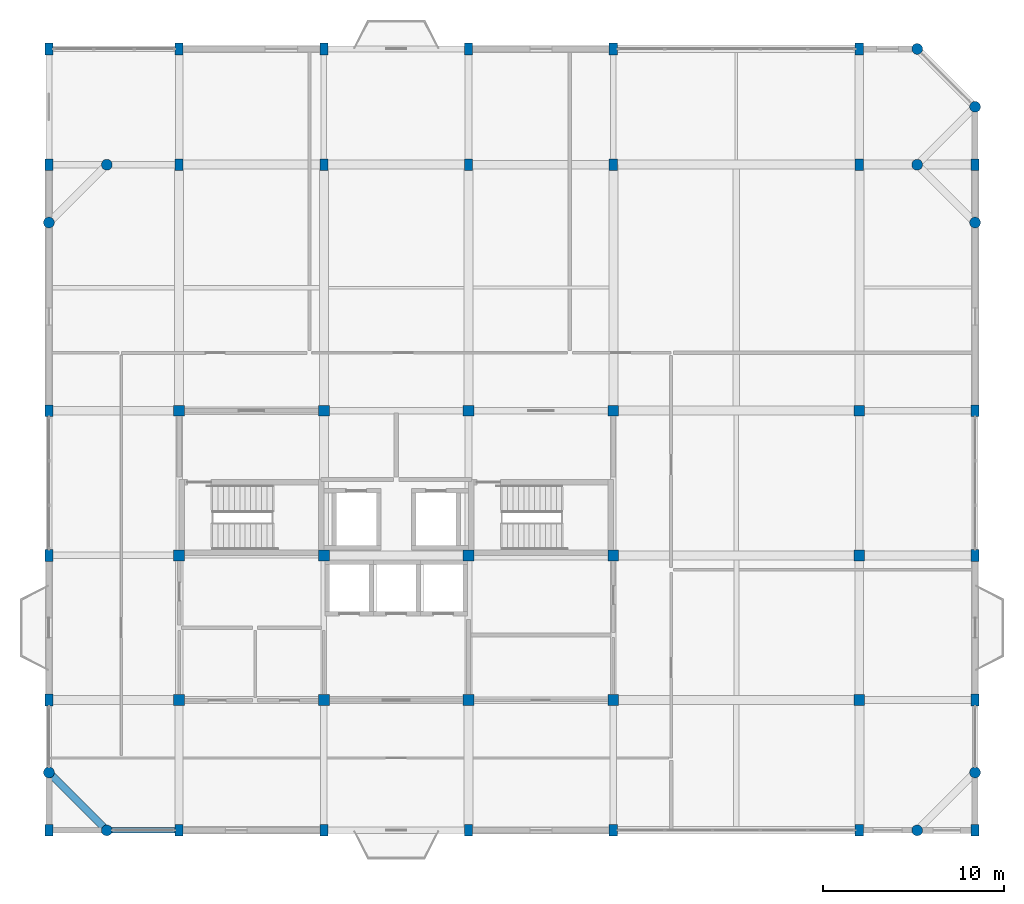
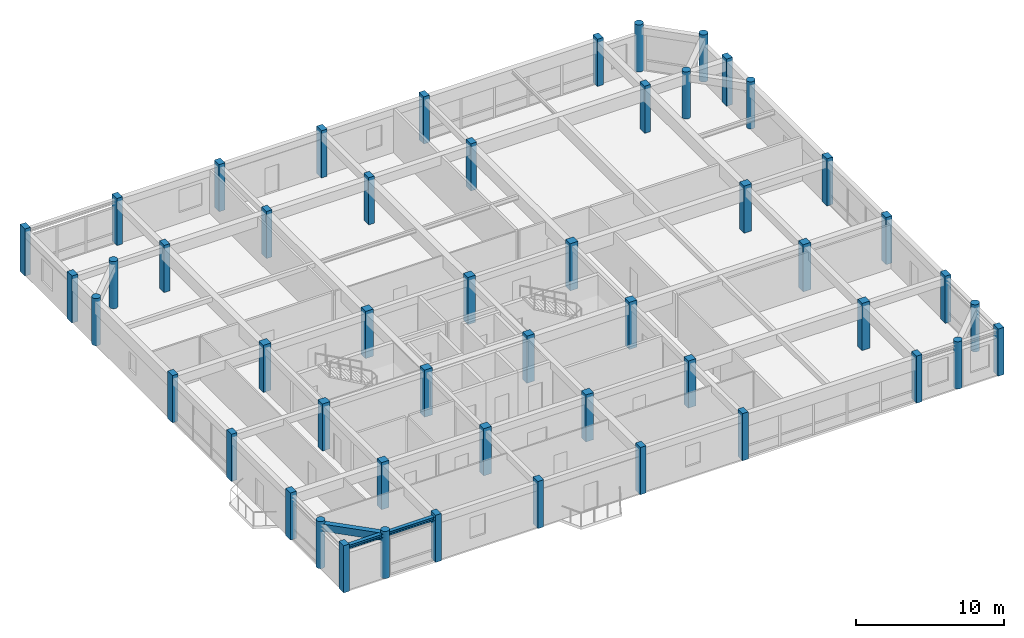
# One storey, part 1 of 13: 51 columns, 2 beams.
"""IFC4 building model written with IfcOpenShell, lengths in metres."""

import ifcopenshell
import ifcopenshell.guid

model = None  # the IFC model being written
_history = None  # IfcOwnerHistory: only IFC2X3 demands one
_inside = {}  # id of a spatial element -> (the spatial element, [elements in it])
_under = {}  # id of a project, library or spatial element -> (it, [spatial elements below it])
_declared = {}  # id of a project -> (the project, [libraries it declares])
_typed = {}  # id of a type object -> (the type object, [elements of that type])
_made_of = {}  # id of a material, layer set ... -> (it, [elements and type objects made of it])


def new_model(schema):
    """Start an empty IFC model of exactly this schema.

    Asked for "IFC4X3", IfcOpenShell would pick the latest addendum, in which some entities
    have other attributes; the version numbers below select the first issue.
    IFC2X3 requires an IfcOwnerHistory on every rooted entity: one is made here for all.
    """
    global model, _history
    if schema == "IFC4X3":
        model = ifcopenshell.file(schema_version=(4, 3, 0, 0))
    else:
        model = ifcopenshell.file(schema=schema)
    _inside.clear()
    _under.clear()
    _declared.clear()
    _typed.clear()
    _made_of.clear()
    _history = None
    if model.schema == "IFC2X3":
        org = make("IfcOrganization", Name="unknown")
        user = make(
            "IfcPersonAndOrganization",
            ThePerson=make("IfcPerson", FamilyName="unknown"),
            TheOrganization=org,
        )
        app = make(
            "IfcApplication",
            ApplicationDeveloper=org,
            Version="unknown",
            ApplicationFullName="unknown",
            ApplicationIdentifier="unknown",
        )
        _history = make(
            "IfcOwnerHistory",
            OwningUser=user,
            OwningApplication=app,
            ChangeAction="ADDED",
            CreationDate=0,
        )
    return model


def make(cls, **values):
    """One entity of the class cls with the attributes given. An attribute that is None is left unset."""
    return model.create_entity(
        cls, **{name: value for name, value in values.items() if value is not None}
    )


def rooted(cls, **values):
    """An entity with a GlobalId (a new one), such as an element, a storey or a relation."""
    return make(cls, GlobalId=ifcopenshell.guid.new(), OwnerHistory=_history, **values)


def si_unit(unit_type, name, prefix=None):
    """IfcSIUnit, for example si_unit("LENGTHUNIT", "METRE", prefix="MILLI")."""
    return make("IfcSIUnit", UnitType=unit_type, Prefix=prefix, Name=name)


def assignment(units):
    """IfcUnitAssignment: the units of a project."""
    return None if units is None else make("IfcUnitAssignment", Units=units)


def point(xyz):
    """IfcCartesianPoint."""
    return None if xyz is None else make("IfcCartesianPoint", Coordinates=xyz)


def direction(xyz):
    """IfcDirection."""
    return None if xyz is None else make("IfcDirection", DirectionRatios=xyz)


def frame(location, z_axis=None, x_axis=None):
    """IfcAxis2Placement3D, a coordinate frame: its origin and axes. An axis left out is left unset."""
    return make(
        "IfcAxis2Placement3D",
        Location=point(location),
        Axis=direction(z_axis),
        RefDirection=direction(x_axis),
    )


def frame_2d(location, x_axis=None):
    """IfcAxis2Placement2D, a coordinate frame in the plane: its origin and x axis."""
    return make(
        "IfcAxis2Placement2D", Location=point(location), RefDirection=direction(x_axis)
    )


def origin():
    """The frame at (0, 0, 0) with its axes left unset."""
    return frame((0.0, 0.0, 0.0))


def origin_2d():
    """The frame at (0, 0) in the plane with its x axis left unset."""
    return frame_2d((0.0, 0.0))


def place(relative_to, where):
    """IfcLocalPlacement: puts the frame where relative to a parent placement (None: the world)."""
    return make(
        "IfcLocalPlacement", PlacementRelTo=relative_to, RelativePlacement=where
    )


def context(
    kind, dimensions, precision=None, world=None, true_north=None, identifier=None
):
    """IfcGeometricRepresentationContext, for example the 3D "Model" context."""
    return make(
        "IfcGeometricRepresentationContext",
        ContextIdentifier=identifier,
        ContextType=kind,
        CoordinateSpaceDimension=dimensions,
        Precision=precision,
        WorldCoordinateSystem=world,
        TrueNorth=true_north,
    )


def subcontext(parent, identifier, kind, view, scale=None):
    """IfcGeometricRepresentationSubContext, for example "Body" below "Model"."""
    return make(
        "IfcGeometricRepresentationSubContext",
        ContextIdentifier=identifier,
        ContextType=kind,
        ParentContext=parent,
        TargetScale=scale,
        TargetView=view,
    )


def project(units=None, contexts=None):
    """IfcProject with its units and contexts."""
    return rooted(
        "IfcProject",
        Name="project",
        RepresentationContexts=contexts,
        UnitsInContext=assignment(units),
    )


def spatial(cls, under=None, at=None, **own):
    """A site, building, storey or space (cls), placed at a placement, below another one or the project."""
    s = rooted(cls, ObjectPlacement=at, **own)
    if under is not None:
        _under.setdefault(under.id(), (under, []))[1].append(s)
    return s


def profile(cls, at=None, kind="AREA", **sizes):
    """A parametric profile (cls). Its sizes go by their IFC names, for example OverallWidth=200.0."""
    return make(cls, ProfileType=kind, Position=at, **sizes)


def rectangle(**sizes):
    """IfcRectangleProfileDef."""
    return profile("IfcRectangleProfileDef", **sizes)


def circle(**sizes):
    """IfcCircleProfileDef."""
    return profile("IfcCircleProfileDef", **sizes)


def i_section(**sizes):
    """IfcIShapeProfileDef."""
    return profile("IfcIShapeProfileDef", **sizes)


def extrude(swept, where, along, depth):
    """IfcExtrudedAreaSolid: the profile swept, set in the frame where, extruded along a direction by depth."""
    return make(
        "IfcExtrudedAreaSolid",
        SweptArea=swept,
        Position=where,
        ExtrudedDirection=direction(along),
        Depth=depth,
    )


def shape(context_of_items, identifier, shape_type, items):
    """IfcShapeRepresentation: the items that make up one representation, for example the "Body"."""
    return make(
        "IfcShapeRepresentation",
        ContextOfItems=context_of_items,
        RepresentationIdentifier=identifier,
        RepresentationType=shape_type,
        Items=items,
    )


def material(Name=None, Category=None):
    """IfcMaterial."""
    return make("IfcMaterial", Name=Name, Category=Category)


def material_profile(
    of_material, cross_section, Name=None, Category=None, Priority=None
):
    """IfcMaterialProfile: a cross section and its material."""
    return make(
        "IfcMaterialProfile",
        Name=Name,
        Material=of_material,
        Profile=cross_section,
        Priority=Priority,
        Category=Category,
    )


def profile_set(profiles, Name=None, composite=None):
    """IfcMaterialProfileSet."""
    return make(
        "IfcMaterialProfileSet",
        Name=Name,
        MaterialProfiles=profiles,
        CompositeProfile=composite,
    )


def made_of(thing, what):
    """Note that an element or type object is made of a material, layer set ...; save() writes the relation."""
    if what is not None:
        _made_of.setdefault(what.id(), (what, []))[1].append(thing)
    return thing


def type_object(cls, material=None, **own):
    """A type object (cls), such as IfcWallType, which elements share."""
    return made_of(rooted(cls, **own), material)


def element(
    cls,
    number,
    at=None,
    inside=None,
    cuts=None,
    type_object=None,
    material=None,
    context=None,
    identifier="Body",
    shape_type=None,
    held_by="IfcProductDefinitionShape",
    body=None,
    shapes=None,
    **own,
):
    """One element of the class cls, such as IfcWall. Its Tag is "e" and its number.

    at: its placement. inside: the storey or other place that contains it. cuts: it is an
    opening in that element (IfcRelVoidsElement). A single representation is given by context,
    identifier, shape_type and body (its items); several are given by shapes. held_by: the class
    of the entity that holds the representations. save() writes the other relations.
    """
    e = rooted(cls, Tag="e%d" % number, ObjectPlacement=at, **own)
    if body is not None:
        shapes = [shape(context, identifier, shape_type, body)]
    if shapes is not None:
        e.Representation = make(held_by, Representations=shapes)
    if inside is not None:
        _inside.setdefault(inside.id(), (inside, []))[1].append(e)
    if cuts is not None:
        rooted(
            "IfcRelVoidsElement", RelatingBuildingElement=cuts, RelatedOpeningElement=e
        )
    if type_object is not None:
        _typed.setdefault(type_object.id(), (type_object, []))[1].append(e)
    return made_of(e, material)


def aggregate(whole, parts):
    """IfcRelAggregates: a whole, such as a stair, and the parts it consists of."""
    return rooted("IfcRelAggregates", RelatingObject=whole, RelatedObjects=parts)


def save(model, path):
    """Write the relations noted so far, then the file.

    IfcRelAggregates (storeys below a building ...), IfcRelContainedInSpatialStructure (elements
    in a storey), IfcRelDefinesByType, IfcRelAssociatesMaterial and IfcRelDeclares: one each for
    every whole, place, type object, material and project.
    """
    for whole, parts in _under.values():
        aggregate(whole, parts)
    for where, things in _inside.values():
        rooted(
            "IfcRelContainedInSpatialStructure",
            RelatedElements=things,
            RelatingStructure=where,
        )
    for kind, things in _typed.values():
        rooted("IfcRelDefinesByType", RelatedObjects=things, RelatingType=kind)
    for what, things in _made_of.values():
        rooted("IfcRelAssociatesMaterial", RelatedObjects=things, RelatingMaterial=what)
    for by, libraries in _declared.values():
        rooted("IfcRelDeclares", RelatingContext=by, RelatedDefinitions=libraries)
    model.write(path)


model = new_model("IFC4")

# Units and contexts
model_context = context("Model", 3, precision=1e-05, world=origin(), true_north=direction((0.0, 1.0)))
body_context = subcontext(model_context, "Body", "Model", "MODEL_VIEW")
ifc_project = project(units=[si_unit("LENGTHUNIT", "METRE"), si_unit("AREAUNIT", "SQUARE_METRE"), si_unit("VOLUMEUNIT", "CUBIC_METRE"), si_unit("PLANEANGLEUNIT", "RADIAN"), si_unit("MASSUNIT", "GRAM", prefix="KILO")], contexts=[model_context])

# Site, building, storey
site_placement = place(None, origin())
site = spatial("IfcSite", under=ifc_project, at=site_placement, CompositionType="ELEMENT")
building_placement = place(site_placement, origin())
building = spatial("IfcBuilding", under=site, at=building_placement, Name="Vellmiral Cinema and Media Centre", CompositionType="ELEMENT")
storey_placement = place(building_placement, frame((0.0, 0.0, 54.800048828125)))
storey = spatial("IfcBuildingStorey", under=building, at=storey_placement, Name="L13", CompositionType="ELEMENT", Elevation=54.800048828125)

# Columns
ifc_material_1 = material(Name="Concrete C40/50", Category="concrete")
ifc_material_profile_1 = material_profile(ifc_material_1, rectangle(XDim=0.449951171875, YDim=0.64990234375, at=origin_2d()), Name="RC 450x650")
ifc_profile_set_1 = profile_set([ifc_material_profile_1], Name="Concrete C40/50")
column_type_1 = type_object("IfcColumnType", Name="COL-RC-450x650", PredefinedType="COLUMN", material=ifc_profile_set_1)
for number, where, z_axis, x_axis, name in (
    (1, (116.800048828125, 72.0, 0.0), (0.0, 0.0, 1.0), (1.0, 0.0, 0.0), "Column L13-001"),
    (2, (116.800048828125, 79.199951171875, 0.0), (0.0, 0.0, 1.0), (1.0, 0.0, 0.0), "Column L13-003"),
    (3, (116.800048828125, 87.199951171875, 0.0), (0.0, 0.0, 1.0), (1.0, 0.0, 0.0), "Column L13-004"),
    (4, (116.800048828125, 95.199951171875, 0.0), (0.0, 0.0, 1.0), (1.0, 0.0, 0.0), "Column L13-005"),
    (5, (116.800048828125, 108.800048828125, 0.0), (0.0, 0.0, 1.0), (1.0, 0.0, 0.0), "Column L13-007"),
    (6, (116.800048828125, 115.199951171875, 0.0), (0.0, 0.0, 1.0), (1.0, 0.0, 0.0), "Column L13-008"),
    (7, (124.0, 72.0, 0.0), (0.0, 0.0, 1.0), (1.0, 0.0, 0.0), "Column L13-011"),
    (8, (124.0, 108.800048828125, 0.0), (0.0, 0.0, 1.0), (1.0, 0.0, 0.0), "Column L13-015"),
    (9, (124.0, 115.199951171875, 0.0), (0.0, 0.0, 1.0), (1.0, 0.0, 0.0), "Column L13-016"),
    (10, (132.0, 72.0, 0.0), (0.0, 0.0, 1.0), (1.0, 0.0, 0.0), "Column L13-017"),
    (11, (132.0, 108.800048828125, 0.0), (0.0, 0.0, 1.0), (1.0, 0.0, 0.0), "Column L13-021"),
    (12, (132.0, 115.199951171875, 0.0), (0.0, 0.0, 1.0), (1.0, 0.0, 0.0), "Column L13-022"),
    (13, (140.0, 72.0, 0.0), (0.0, 0.0, 1.0), (1.0, 0.0, 0.0), "Column L13-023"),
    (14, (140.0, 108.800048828125, 0.0), (0.0, 0.0, 1.0), (1.0, 0.0, 0.0), "Column L13-027"),
    (15, (140.0, 115.199951171875, 0.0), (0.0, 0.0, 1.0), (1.0, 0.0, 0.0), "Column L13-028"),
    (16, (148.0, 72.0, 0.0), (0.0, 0.0, 1.0), (1.0, 0.0, 0.0), "Column L13-029"),
    (17, (148.0, 108.800048828125, 0.0), (0.0, 0.0, 1.0), (1.0, 0.0, 0.0), "Column L13-033"),
    (18, (148.0, 115.199951171875, 0.0), (0.0, 0.0, 1.0), (1.0, 0.0, 0.0), "Column L13-034"),
    (19, (161.60009765625, 72.0, 0.0), (0.0, 0.0, 1.0), (1.0, 0.0, 0.0), "Column L13-035"),
    (20, (161.60009765625, 108.800048828125, 0.0), (0.0, 0.0, 1.0), (1.0, 0.0, 0.0), "Column L13-039"),
    (21, (161.60009765625, 115.199951171875, 0.0), (0.0, 0.0, 1.0), (1.0, 0.0, 0.0), "Column L13-040"),
    (22, (168.0, 72.0, 0.0), (0.0, 0.0, 1.0), (1.0, 0.0, 0.0), "Column L13-044"),
    (23, (168.0, 79.199951171875, 0.0), (0.0, 0.0, 1.0), (1.0, 0.0, 0.0), "Column L13-046"),
    (24, (168.0, 87.199951171875, 0.0), (0.0, 0.0, 1.0), (1.0, 0.0, 0.0), "Column L13-047"),
    (25, (168.0, 95.199951171875, 0.0), (0.0, 0.0, 1.0), (1.0, 0.0, 0.0), "Column L13-048"),
    (26, (168.0, 108.800048828125, 0.0), (0.0, 0.0, 1.0), (1.0, 0.0, 0.0), "Column L13-050"),
):
    element("IfcColumn", number, at=place(storey_placement, frame(where, z_axis=z_axis, x_axis=x_axis)), inside=storey, type_object=column_type_1, Name=name, PredefinedType="COLUMN", context=body_context, shape_type="SweptSolid", body=[
        extrude(rectangle(XDim=0.449951171875, YDim=0.64990234375, at=origin_2d()), origin(), (0.0, 0.0, 1.0), 3.89990234375),
    ])
ifc_material_2 = material(Name="Concrete C40/50", Category="concrete")
ifc_material_profile_2 = material_profile(ifc_material_2, rectangle(XDim=0.60009765625, YDim=0.60009765625, at=origin_2d()), Name="RC 600x600")
ifc_profile_set_2 = profile_set([ifc_material_profile_2], Name="Concrete C40/50")
column_type_2 = type_object("IfcColumnType", Name="COL-RC-600x600", PredefinedType="COLUMN", material=ifc_profile_set_2)
for number, where, z_axis, x_axis, name in (
    (27, (124.0, 79.199951171875, 0.0), (0.0, 0.0, 1.0), (1.0, 0.0, 0.0), "Column L13-012"),
    (28, (124.0, 87.199951171875, 0.0), (0.0, 0.0, 1.0), (1.0, 0.0, 0.0), "Column L13-013"),
    (29, (124.0, 95.199951171875, 0.0), (0.0, 0.0, 1.0), (1.0, 0.0, 0.0), "Column L13-014"),
    (30, (132.0, 79.199951171875, 0.0), (0.0, 0.0, 1.0), (1.0, 0.0, 0.0), "Column L13-018"),
    (31, (132.0, 87.199951171875, 0.0), (0.0, 0.0, 1.0), (1.0, 0.0, 0.0), "Column L13-019"),
    (32, (132.0, 95.199951171875, 0.0), (0.0, 0.0, 1.0), (1.0, 0.0, 0.0), "Column L13-020"),
    (33, (140.0, 79.199951171875, 0.0), (0.0, 0.0, 1.0), (1.0, 0.0, 0.0), "Column L13-024"),
    (34, (140.0, 87.199951171875, 0.0), (0.0, 0.0, 1.0), (1.0, 0.0, 0.0), "Column L13-025"),
    (35, (140.0, 95.199951171875, 0.0), (0.0, 0.0, 1.0), (1.0, 0.0, 0.0), "Column L13-026"),
    (36, (148.0, 79.199951171875, 0.0), (0.0, 0.0, 1.0), (1.0, 0.0, 0.0), "Column L13-030"),
    (37, (148.0, 87.199951171875, 0.0), (0.0, 0.0, 1.0), (1.0, 0.0, 0.0), "Column L13-031"),
    (38, (148.0, 95.199951171875, 0.0), (0.0, 0.0, 1.0), (1.0, 0.0, 0.0), "Column L13-032"),
    (39, (161.60009765625, 79.199951171875, 0.0), (0.0, 0.0, 1.0), (1.0, 0.0, 0.0), "Column L13-036"),
    (40, (161.60009765625, 87.199951171875, 0.0), (0.0, 0.0, 1.0), (1.0, 0.0, 0.0), "Column L13-037"),
    (41, (161.60009765625, 95.199951171875, 0.0), (0.0, 0.0, 1.0), (1.0, 0.0, 0.0), "Column L13-038"),
):
    element("IfcColumn", number, at=place(storey_placement, frame(where, z_axis=z_axis, x_axis=x_axis)), inside=storey, type_object=column_type_2, Name=name, PredefinedType="COLUMN", context=body_context, shape_type="SweptSolid", body=[
        extrude(rectangle(XDim=0.60009765625, YDim=0.60009765625, at=origin_2d()), origin(), (0.0, 0.0, 1.0), 3.89990234375),
    ])
ifc_material_3 = material(Name="Concrete C40/50", Category="concrete")
ifc_material_profile_3 = material_profile(ifc_material_3, circle(Radius=0.300048828125, at=origin_2d()), Name="RC D600")
ifc_profile_set_3 = profile_set([ifc_material_profile_3], Name="Concrete C40/50")
column_type_3 = type_object("IfcColumnType", Name="COL-RCC-D600", PredefinedType="COLUMN", material=ifc_profile_set_3)
for number, where, z_axis, x_axis, name in (
    (42, (116.800048828125, 75.199951171875, 0.0), (0.0, 0.0, 1.0), (1.0, 0.0, 0.0), "Column L13-002"),
    (43, (116.800048828125, 105.60009765625, 0.0), (0.0, 0.0, 1.0), (1.0, 0.0, 0.0), "Column L13-006"),
    (44, (120.0, 72.0, 0.0), (0.0, 0.0, 1.0), (1.0, 0.0, 0.0), "Column L13-009"),
    (45, (120.0, 108.800048828125, 0.0), (0.0, 0.0, 1.0), (1.0, 0.0, 0.0), "Column L13-010"),
    (46, (164.800048828125, 72.0, 0.0), (0.0, 0.0, 1.0), (1.0, 0.0, 0.0), "Column L13-041"),
    (47, (164.800048828125, 108.800048828125, 0.0), (0.0, 0.0, 1.0), (1.0, 0.0, 0.0), "Column L13-042"),
    (48, (164.800048828125, 115.199951171875, 0.0), (0.0, 0.0, 1.0), (1.0, 0.0, 0.0), "Column L13-043"),
    (49, (168.0, 75.199951171875, 0.0), (0.0, 0.0, 1.0), (1.0, 0.0, 0.0), "Column L13-045"),
    (50, (168.0, 105.60009765625, 0.0), (0.0, 0.0, 1.0), (1.0, 0.0, 0.0), "Column L13-049"),
    (51, (168.0, 112.0, 0.0), (0.0, 0.0, 1.0), (1.0, 0.0, 0.0), "Column L13-051"),
):
    element("IfcColumn", number, at=place(storey_placement, frame(where, z_axis=z_axis, x_axis=x_axis)), inside=storey, type_object=column_type_3, Name=name, PredefinedType="COLUMN", context=body_context, shape_type="SweptSolid", body=[
        extrude(circle(Radius=0.300048828125, at=origin_2d()), origin(), (0.0, 0.0, 1.0), 3.89990234375),
    ])

# Beams
ifc_material_4 = material(Name="Steel S355", Category="steel")
ifc_material_profile_4 = material_profile(ifc_material_4, i_section(OverallWidth=0.300048828125, OverallDepth=0.300048828125, WebThickness=0.010986328125, FlangeThickness=0.01904296875, FilletRadius=0.027099609375, at=origin_2d()), Name="HEB 300")
ifc_profile_set_4 = profile_set([ifc_material_profile_4], Name="Steel S355")
beam_type_1 = type_object("IfcBeamType", Name="SBM-HEB300", PredefinedType="SPANDREL", material=ifc_profile_set_4)
beam_1_placement = place(storey_placement, frame((116.800048828125, 72.0, 3.5048828125), z_axis=(1.0, 0.0, 0.0), x_axis=(0.0, 1.0, 0.0)))
element("IfcBeam", 52, at=beam_1_placement, inside=storey, type_object=beam_type_1, Name="Grid Beam L13-X001", PredefinedType="SPANDREL", context=body_context, shape_type="SweptSolid", body=[
    extrude(i_section(OverallWidth=0.300048828125, OverallDepth=0.300048828125, WebThickness=0.010986328125, FlangeThickness=0.01904296875, FilletRadius=0.027099609375, at=origin_2d()), origin(), (0.0, 0.0, 1.0), 7.199951171875),
])
ifc_material_5 = material(Name="Concrete C40/50", Category="concrete")
ifc_material_profile_5 = material_profile(ifc_material_5, rectangle(XDim=0.39990234375, YDim=0.60009765625, at=origin_2d()), Name="RC 400x600")
ifc_profile_set_5 = profile_set([ifc_material_profile_5], Name="Concrete C40/50")
beam_type_2 = type_object("IfcBeamType", Name="SPD-RC-400x600", PredefinedType="SPANDREL", material=ifc_profile_set_5)
beam_2_placement = place(storey_placement, frame((116.800048828125, 75.199951171875, 3.35498046875), z_axis=(0.707106781187, -0.707106781187, 0.0), x_axis=(0.707106781187, 0.707106781187, 0.0)))
element("IfcBeam", 53, at=beam_2_placement, inside=storey, type_object=beam_type_2, Name="Xamfra Chamfer Spandrel Beam L13-070", PredefinedType="SPANDREL", context=body_context, shape_type="SweptSolid", body=[
    extrude(rectangle(XDim=0.39990234375, YDim=0.60009765625, at=origin_2d()), origin(), (0.0, 0.0, 1.0), 4.525390625),
])

save(model, "model.ifc")
